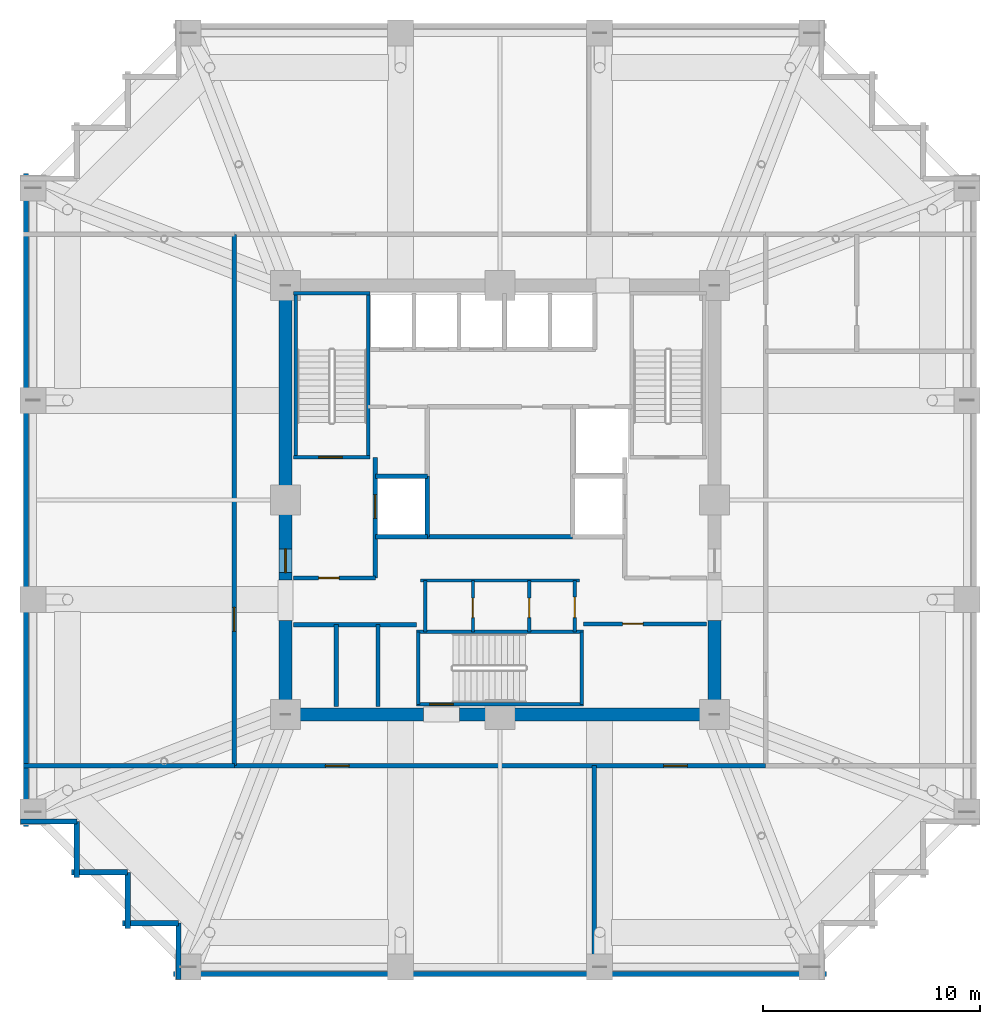
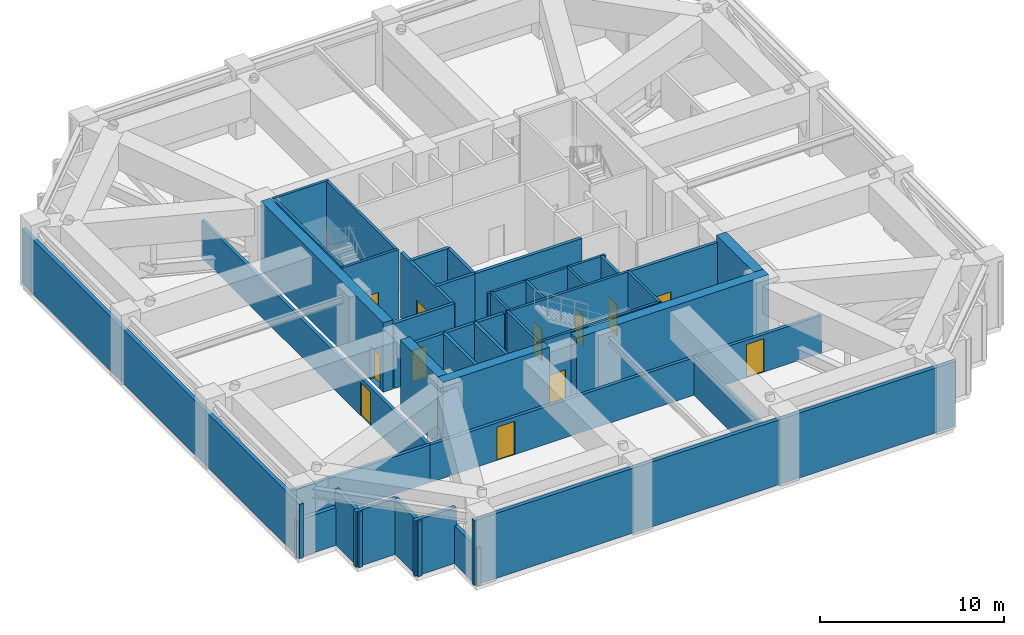
# One storey, part 12 of 15: 40 walls, 12 doors, 12 openings.
"""IFC4 building model written with IfcOpenShell, lengths in metres."""

from ifc_helpers import new_model, si_unit, direction, frame, frame_2d, origin, place, context, subcontext, project, spatial, rectangle, extrude, material, layer, layer_set, type_object, element, fill, save


model = new_model("IFC4")

# Units and contexts
model_context = context("Model", 3, precision=1e-05, world=origin(), true_north=direction((0.0, 1.0)))
body_context = subcontext(model_context, "Body", "Model", "MODEL_VIEW")
ifc_project = project(units=[si_unit("LENGTHUNIT", "METRE"), si_unit("AREAUNIT", "SQUARE_METRE"), si_unit("VOLUMEUNIT", "CUBIC_METRE"), si_unit("PLANEANGLEUNIT", "RADIAN"), si_unit("MASSUNIT", "GRAM", prefix="KILO")], contexts=[model_context])

# Site, building, storey
site_placement = place(None, origin())
site = spatial("IfcSite", under=ifc_project, at=site_placement, CompositionType="ELEMENT")
building_placement = place(site_placement, origin())
building = spatial("IfcBuilding", under=site, at=building_placement, Name="Kolvaren Belvedere", CompositionType="ELEMENT")
storey_placement = place(building_placement, frame((0.0, 0.0, 63.39990234375)))
storey = spatial("IfcBuildingStorey", under=building, at=storey_placement, Name="L18", CompositionType="ELEMENT", Elevation=63.39990234375)

# Walls
ifc_material_1 = material(Name="Concrete C60/75", Category="concrete")
ifc_layer_1 = layer(ifc_material_1, 0.60009765625)
ifc_layer_set_1 = layer_set([ifc_layer_1], Name="Concrete C60/75")
wall_type_1 = type_object("IfcWallType", Name="CW-CORE-600", PredefinedType="SHEAR", material=ifc_layer_set_1)
wall_1_placement = place(storey_placement, frame((10.199951171875, -9.89990234375, 0.0), z_axis=(0.0, 0.0, 1.0), x_axis=(-1.0, 0.0, 0.0)))
element("IfcWall", 1, at=wall_1_placement, inside=storey, type_object=wall_type_1, Name="L18 South Core Shear Wall 1", PredefinedType="SHEAR", context=body_context, shape_type="SweptSolid", body=[
    extrude(rectangle(XDim=12.06005859375, YDim=0.60009765625, at=frame_2d((6.030029296875, 0.0))), origin(), (0.0, 0.0, 1.0), 4.60009765625),
])
wall_2_placement = place(storey_placement, frame((-3.5400390625, -9.89990234375, 0.0), z_axis=(0.0, 0.0, 1.0), x_axis=(-1.0, 0.0, 0.0)))
element("IfcWall", 2, at=wall_2_placement, inside=storey, type_object=wall_type_1, Name="L18 South Core Shear Wall 2", PredefinedType="SHEAR", context=body_context, shape_type="SweptSolid", body=[
    extrude(rectangle(XDim=6.659912109375, YDim=0.60009765625, at=frame_2d((3.330078125, 0.0))), origin(), (0.0, 0.0, 1.0), 4.60009765625),
])
for number, where, z_axis, x_axis, name in (
    (3, (-9.89990234375, -9.60009765625, 0.0), (0.0, 0.0, 1.0), (0.0, 1.0, 0.0), "L18 West Core Shear Wall 1"),
    (4, (9.89990234375, -9.60009765625, 0.0), (0.0, 0.0, 1.0), (0.0, 1.0, 0.0), "L18 East Core Shear Wall 1"),
):
    element("IfcWall", number, at=place(storey_placement, frame(where, z_axis=z_axis, x_axis=x_axis)), inside=storey, type_object=wall_type_1, Name=name, PredefinedType="SHEAR", context=body_context, shape_type="SweptSolid", body=[
        extrude(rectangle(XDim=4.050048828125, YDim=0.60009765625, at=frame_2d((2.02490234375, 0.0))), origin(), (0.0, 0.0, 1.0), 4.60009765625),
    ])

# Wall, opening, door
wall_3_placement = place(storey_placement, frame((-9.89990234375, -3.699951171875, 0.0), z_axis=(0.0, 0.0, 1.0), x_axis=(0.0, 1.0, 0.0)))
wall_3 = element("IfcWall", 5, at=wall_3_placement, inside=storey, type_object=wall_type_1, Name="L18 West Core Shear Wall 2", PredefinedType="SHEAR", context=body_context, shape_type="SweptSolid", body=[
    extrude(rectangle(XDim=13.300048828125, YDim=0.60009765625, at=frame_2d((6.64990234375, 0.0))), origin(), (0.0, 0.0, 1.0), 4.60009765625),
])
opening_1_placement = place(wall_3_placement, frame((0.35009765625, 0.0, 0.0)))
opening_1 = element("IfcOpeningElement", 6, at=opening_1_placement, cuts=wall_3, Name="Opening D-FD90", PredefinedType="OPENING", context=body_context, shape_type="SweptSolid", body=[
    extrude(rectangle(XDim=1.10009765625, YDim=2.199951171875, at=frame_2d((0.550048828125, 1.10009765625))), frame((0.0, 0.31005859375, 0.0), z_axis=(0.0, -1.0, 0.0), x_axis=(1.0, 0.0, 0.0)), (0.0, 0.0, 1.0), 0.6201171875),
])
ifc_material_2 = material(Name="Painted hollow stainless steel", Category="steel")
door_type_1 = type_object("IfcDoorType", Name="DR-FD90-1100", OperationType="NOTDEFINED", PredefinedType="DOOR", material=ifc_material_2)
door_1_placement = place(opening_1_placement, origin())
door_1 = element("IfcDoor", 7, at=door_1_placement, inside=storey, type_object=door_type_1, Name="L18 West Firefighting Lobby Fire Door", OperationType="SINGLE_SWING_LEFT", OverallHeight=2.199951171875, OverallWidth=1.10009765625, PredefinedType="DOOR", context=body_context, shape_type="SweptSolid", body=[
    extrude(rectangle(XDim=1.10009765625, YDim=2.199951171875, at=frame_2d((0.550048828125, 1.10009765625))), frame((0.0, 0.02490234375, 0.0), z_axis=(0.0, -1.0, 0.0), x_axis=(1.0, 0.0, 0.0)), (0.0, 0.0, 1.0), 0.050048828125),
])
fill(opening_1, door_1)

ifc_material_3 = material(Name="Concrete C50/60", Category="concrete")
ifc_layer_2 = layer(ifc_material_3, 0.159912109375)
ifc_layer_set_2 = layer_set([ifc_layer_2], Name="Concrete C50/60")
wall_type_2 = type_object("IfcWallType", Name="CW-STAIR-160", PredefinedType="SHEAR", material=ifc_layer_set_2)
wall_4_placement = place(storey_placement, frame((-9.52001953125, 1.969970703125, 0.0), z_axis=(0.0, 0.0, 1.0), x_axis=(1.0, 0.0, 0.0)))
wall_4 = element("IfcWall", 8, at=wall_4_placement, inside=storey, type_object=wall_type_2, Name="L18 Stair ST-1 South Shear Wall", PredefinedType="SHEAR", context=body_context, shape_type="SweptSolid", body=[
    extrude(rectangle(XDim=3.52001953125, YDim=0.159912109375, at=frame_2d((1.760009765625, 0.0))), origin(), (0.0, 0.0, 1.0), 4.60009765625),
])
opening_2_placement = place(wall_4_placement, frame((1.14990234375, 0.0, 0.0)))
opening_2 = element("IfcOpeningElement", 9, at=opening_2_placement, cuts=wall_4, Name="Opening D-FD90", PredefinedType="OPENING", context=body_context, shape_type="SweptSolid", body=[
    extrude(rectangle(XDim=1.10009765625, YDim=2.199951171875, at=frame_2d((0.550048828125, 1.10009765625))), frame((0.0, 0.08984375, 0.0), z_axis=(0.0, -1.0, 0.0), x_axis=(1.0, 0.0, 0.0)), (0.0, 0.0, 1.0), 0.179931640625),
])
door_2_placement = place(opening_2_placement, origin())
door_2 = element("IfcDoor", 10, at=door_2_placement, inside=storey, type_object=door_type_1, Name="L18 Stair ST-1 Fire Door", OperationType="SINGLE_SWING_LEFT", OverallHeight=2.199951171875, OverallWidth=1.10009765625, PredefinedType="DOOR", context=body_context, shape_type="SweptSolid", body=[
    extrude(rectangle(XDim=1.10009765625, YDim=2.199951171875, at=frame_2d((0.550048828125, 1.10009765625))), frame((0.0, 0.02490234375, 0.0), z_axis=(0.0, -1.0, 0.0), x_axis=(1.0, 0.0, 0.0)), (0.0, 0.0, 1.0), 0.050048828125),
])
fill(opening_2, door_2)

# Walls
wall_5_placement = place(storey_placement, frame((-9.52001953125, 9.530029296875, 0.0), z_axis=(0.0, 0.0, 1.0), x_axis=(1.0, 0.0, 0.0)))
element("IfcWall", 11, at=wall_5_placement, inside=storey, type_object=wall_type_2, Name="L18 Stair ST-1 North Shear Wall", PredefinedType="SHEAR", context=body_context, shape_type="SweptSolid", body=[
    extrude(rectangle(XDim=3.52001953125, YDim=0.159912109375, at=frame_2d((1.760009765625, 0.0))), origin(), (0.0, 0.0, 1.0), 4.60009765625),
])
for number, where, z_axis, x_axis, name in (
    (12, (-9.429931640625, 1.969970703125, 0.0), (0.0, 0.0, 1.0), (0.0, 1.0, 0.0), "L18 Stair ST-1 West Shear Wall"),
    (13, (-6.080078125, 1.969970703125, 0.0), (0.0, 0.0, 1.0), (0.0, 1.0, 0.0), "L18 Stair ST-1 East Shear Wall"),
):
    element("IfcWall", number, at=place(storey_placement, frame(where, z_axis=z_axis, x_axis=x_axis)), inside=storey, type_object=wall_type_2, Name=name, PredefinedType="SHEAR", context=body_context, shape_type="SweptSolid", body=[
        extrude(rectangle(XDim=7.56005859375, YDim=0.159912109375, at=frame_2d((3.780029296875, 0.0))), origin(), (0.0, 0.0, 1.0), 4.60009765625),
    ])

# Wall, opening, door
wall_6_placement = place(storey_placement, frame((3.860107421875, -9.429931640625, 0.0), z_axis=(0.0, 0.0, 1.0), x_axis=(-1.0, 0.0, 0.0)))
wall_6 = element("IfcWall", 14, at=wall_6_placement, inside=storey, type_object=wall_type_2, Name="L18 Stair ST-3 South Shear Wall", PredefinedType="SHEAR", context=body_context, shape_type="SweptSolid", body=[
    extrude(rectangle(XDim=7.72021484375, YDim=0.159912109375, at=frame_2d((3.860107421875, 0.0))), origin(), (0.0, 0.0, 1.0), 4.60009765625),
])
opening_3_placement = place(wall_6_placement, frame((6.010009765625, 0.0, 0.0)))
opening_3 = element("IfcOpeningElement", 15, at=opening_3_placement, cuts=wall_6, Name="Opening D-FD90", PredefinedType="OPENING", context=body_context, shape_type="SweptSolid", body=[
    extrude(rectangle(XDim=1.10009765625, YDim=2.199951171875, at=frame_2d((0.550048828125, 1.10009765625))), frame((0.0, 0.08984375, 0.0), z_axis=(0.0, -1.0, 0.0), x_axis=(1.0, 0.0, 0.0)), (0.0, 0.0, 1.0), 0.179931640625),
])
door_3_placement = place(opening_3_placement, origin())
door_3 = element("IfcDoor", 16, at=door_3_placement, inside=storey, type_object=door_type_1, Name="L18 Stair ST-3 Exit Door", OperationType="SINGLE_SWING_RIGHT", OverallHeight=2.199951171875, OverallWidth=1.10009765625, PredefinedType="DOOR", context=body_context, shape_type="SweptSolid", body=[
    extrude(rectangle(XDim=1.10009765625, YDim=2.199951171875, at=frame_2d((0.550048828125, 1.10009765625))), frame((0.0, 0.02490234375, 0.0), z_axis=(0.0, -1.0, 0.0), x_axis=(1.0, 0.0, 0.0)), (0.0, 0.0, 1.0), 0.050048828125),
])
fill(opening_3, door_3)

# Walls
wall_7_placement = place(storey_placement, frame((-3.860107421875, -6.080078125, 0.0), z_axis=(0.0, 0.0, 1.0), x_axis=(1.0, 0.0, 0.0)))
element("IfcWall", 17, at=wall_7_placement, inside=storey, type_object=wall_type_2, Name="L18 Stair ST-3 North Shear Wall", PredefinedType="SHEAR", context=body_context, shape_type="SweptSolid", body=[
    extrude(rectangle(XDim=7.72021484375, YDim=0.159912109375, at=frame_2d((3.860107421875, 0.0))), origin(), (0.0, 0.0, 1.0), 4.60009765625),
])
for number, where, z_axis, x_axis, name in (
    (18, (-3.780029296875, -9.429931640625, 0.0), (0.0, 0.0, 1.0), (0.0, 1.0, 0.0), "L18 Stair ST-3 West Shear Wall"),
    (19, (3.780029296875, -9.429931640625, 0.0), (0.0, 0.0, 1.0), (0.0, 1.0, 0.0), "L18 Stair ST-3 East Shear Wall"),
):
    element("IfcWall", number, at=place(storey_placement, frame(where, z_axis=z_axis, x_axis=x_axis)), inside=storey, type_object=wall_type_2, Name=name, PredefinedType="SHEAR", context=body_context, shape_type="SweptSolid", body=[
        extrude(rectangle(XDim=3.349853515625, YDim=0.159912109375, at=frame_2d((1.6748046875, 0.0))), origin(), (0.0, 0.0, 1.0), 4.60009765625),
    ])
ifc_material_4 = material(Name="Insulated acoustic pale-metal louvre wall", Category="aluminium")
ifc_layer_3 = layer(ifc_material_4, 0.239990234375)
ifc_layer_set_3 = layer_set([ifc_layer_3], Name="Insulated acoustic pale-metal louvre wall")
wall_type_3 = type_object("IfcWallType", Name="WL-LOUV-240", PredefinedType="STANDARD", material=ifc_layer_set_3)
wall_8_placement = place(storey_placement, frame((15.070068359375, -21.8798828125, 0.0), z_axis=(0.0, 0.0, 1.0), x_axis=(-1.0, 0.0, 0.0)))
element("IfcWall", 20, at=wall_8_placement, inside=storey, type_object=wall_type_3, Name="L18 Acoustic Louvre Facade Wall 1", PredefinedType="STANDARD", context=body_context, shape_type="SweptSolid", body=[
    extrude(rectangle(XDim=30.14013671875, YDim=0.239990234375, at=frame_2d((15.070068359375, 0.0))), origin(), (0.0, 0.0, 1.0), 4.300048828125),
])
wall_9_placement = place(storey_placement, frame((-21.8798828125, -15.070068359375, 0.0), z_axis=(0.0, 0.0, 1.0), x_axis=(0.0, 1.0, 0.0)))
element("IfcWall", 21, at=wall_9_placement, inside=storey, type_object=wall_type_3, Name="L18 Acoustic Louvre Facade Wall 22", PredefinedType="STANDARD", context=body_context, shape_type="SweptSolid", body=[
    extrude(rectangle(XDim=30.14013671875, YDim=0.239990234375, at=frame_2d((15.070068359375, 0.0))), origin(), (0.0, 0.0, 1.0), 3.59912109375),
])
wall_10_placement = place(storey_placement, frame((-19.530029296875, -14.830078125, 0.0), z_axis=(0.0, 0.0, 1.0), x_axis=(-1.0, 0.0, 0.0)))
element("IfcWall", 22, at=wall_10_placement, inside=storey, type_object=wall_type_3, Name="L18 Acoustic Louvre Facade Wall 23", PredefinedType="STANDARD", context=body_context, shape_type="SweptSolid", body=[
    extrude(rectangle(XDim=2.590087890625, YDim=0.239990234375, at=frame_2d((1.294921875, 0.0))), origin(), (0.0, 0.0, 1.0), 2.4951171875),
])
wall_11_placement = place(storey_placement, frame((-19.530029296875, -17.419921875, 0.0), z_axis=(0.0, 0.0, 1.0), x_axis=(0.0, 1.0, 0.0)))
element("IfcWall", 23, at=wall_11_placement, inside=storey, type_object=wall_type_3, Name="L18 Acoustic Louvre Facade Wall 24", PredefinedType="STANDARD", context=body_context, shape_type="SweptSolid", body=[
    extrude(rectangle(XDim=2.58984375, YDim=0.239990234375, at=frame_2d((1.294921875, 0.0))), origin(), (0.0, 0.0, 1.0), 3.67919921875),
])
for number, where, z_axis, x_axis, name in (
    (24, (-17.179931640625, -17.179931640625, 0.0), (0.0, 0.0, 1.0), (-1.0, 0.0, 0.0), "L18 Acoustic Louvre Facade Wall 25"),
    (25, (-17.179931640625, -19.77001953125, 0.0), (0.0, 0.0, 1.0), (0.0, 1.0, 0.0), "L18 Acoustic Louvre Facade Wall 26"),
):
    element("IfcWall", number, at=place(storey_placement, frame(where, z_axis=z_axis, x_axis=x_axis)), inside=storey, type_object=wall_type_3, Name=name, PredefinedType="STANDARD", context=body_context, shape_type="SweptSolid", body=[
        extrude(rectangle(XDim=2.590087890625, YDim=0.239990234375, at=frame_2d((1.294921875, 0.0))), origin(), (0.0, 0.0, 1.0), 3.67919921875),
    ])
wall_12_placement = place(storey_placement, frame((-14.830078125, -19.530029296875, 0.0), z_axis=(0.0, 0.0, 1.0), x_axis=(-1.0, 0.0, 0.0)))
element("IfcWall", 26, at=wall_12_placement, inside=storey, type_object=wall_type_3, Name="L18 Acoustic Louvre Facade Wall 27", PredefinedType="STANDARD", context=body_context, shape_type="SweptSolid", body=[
    extrude(rectangle(XDim=2.58984375, YDim=0.239990234375, at=frame_2d((1.294921875, 0.0))), origin(), (0.0, 0.0, 1.0), 3.67919921875),
])
wall_13_placement = place(storey_placement, frame((-14.830078125, -22.1201171875, 0.0), z_axis=(0.0, 0.0, 1.0), x_axis=(0.0, 1.0, 0.0)))
element("IfcWall", 27, at=wall_13_placement, inside=storey, type_object=wall_type_3, Name="L18 Acoustic Louvre Facade Wall 28", PredefinedType="STANDARD", context=body_context, shape_type="SweptSolid", body=[
    extrude(rectangle(XDim=2.590087890625, YDim=0.239990234375, at=frame_2d((1.294921875, 0.0))), origin(), (0.0, 0.0, 1.0), 2.4951171875),
])
ifc_material_5 = material(Name="Gypsum acoustic partition assembly", Category="gypsum")
ifc_layer_4 = layer(ifc_material_5, 0.14990234375)
ifc_layer_set_4 = layer_set([ifc_layer_4], Name="Gypsum acoustic partition assembly")
wall_type_4 = type_object("IfcWallType", Name="WL-PART-150", PredefinedType="PARTITIONING", material=ifc_layer_set_4)
wall_14_placement = place(storey_placement, frame((-3.679931640625, -3.719970703125, 0.0), z_axis=(0.0, 0.0, 1.0), x_axis=(1.0, 0.0, 0.0)))
element("IfcWall", 28, at=wall_14_placement, inside=storey, type_object=wall_type_4, Name="L18 South Core Service North Wall", PredefinedType="PARTITIONING", context=body_context, shape_type="SweptSolid", body=[
    extrude(rectangle(XDim=7.35986328125, YDim=0.14990234375, at=frame_2d((3.679931640625, 0.0))), origin(), (0.0, 0.0, 1.0), 4.300048828125),
])

# Wall, opening, door
wall_15_placement = place(storey_placement, frame((3.449951171875, -6.080078125, 0.0), z_axis=(0.0, 0.0, 1.0), x_axis=(0.0, 1.0, 0.0)))
wall_15 = element("IfcWall", 29, at=wall_15_placement, inside=storey, type_object=wall_type_4, Name="L18 South Core Service East Wall", PredefinedType="PARTITIONING", context=body_context, shape_type="SweptSolid", body=[
    extrude(rectangle(XDim=2.360107421875, YDim=0.14990234375, at=frame_2d((1.18017578125, 0.0))), origin(), (0.0, 0.0, 1.0), 4.300048828125),
])
opening_4_placement = place(wall_15_placement, frame((0.64990234375, 0.0, 0.0)))
opening_4 = element("IfcOpeningElement", 30, at=opening_4_placement, cuts=wall_15, Name="Opening D-FD60", PredefinedType="OPENING", context=body_context, shape_type="SweptSolid", body=[
    extrude(rectangle(XDim=0.949951171875, YDim=2.06005859375, at=frame_2d((0.47509765625, 1.030029296875))), frame((0.0, 0.0849609375, 0.0), z_axis=(0.0, -1.0, 0.0), x_axis=(1.0, 0.0, 0.0)), (0.0, 0.0, 1.0), 0.169921875),
])
ifc_material_6 = material(Name="Acoustic white-oak fire door leaf", Category="timber")
door_type_2 = type_object("IfcDoorType", Name="DR-FD60-950", OperationType="NOTDEFINED", PredefinedType="DOOR", material=ifc_material_6)
door_4_placement = place(opening_4_placement, origin())
door_4 = element("IfcDoor", 31, at=door_4_placement, inside=storey, type_object=door_type_2, Name="L18 Core Service Room Door", OperationType="SINGLE_SWING_LEFT", OverallHeight=2.06005859375, OverallWidth=0.949951171875, PredefinedType="DOOR", context=body_context, shape_type="SweptSolid", body=[
    extrude(rectangle(XDim=0.949951171875, YDim=2.06005859375, at=frame_2d((0.47509765625, 1.030029296875))), frame((0.0, 0.02490234375, 0.0), z_axis=(0.0, -1.0, 0.0), x_axis=(1.0, 0.0, 0.0)), (0.0, 0.0, 1.0), 0.050048828125),
])
fill(opening_4, door_4)

# Wall
wall_16_placement = place(storey_placement, frame((-3.449951171875, -6.080078125, 0.0), z_axis=(0.0, 0.0, 1.0), x_axis=(0.0, 1.0, 0.0)))
element("IfcWall", 32, at=wall_16_placement, inside=storey, type_object=wall_type_4, Name="L18 South Core Service West Wall", PredefinedType="PARTITIONING", context=body_context, shape_type="SweptSolid", body=[
    extrude(rectangle(XDim=2.360107421875, YDim=0.14990234375, at=frame_2d((1.18017578125, 0.0))), origin(), (0.0, 0.0, 1.0), 4.300048828125),
])

# Wall, opening, door
wall_17_placement = place(storey_placement, frame((1.35009765625, -6.080078125, 0.0), z_axis=(0.0, 0.0, 1.0), x_axis=(0.0, 1.0, 0.0)))
wall_17 = element("IfcWall", 33, at=wall_17_placement, inside=storey, type_object=wall_type_4, Name="L18 Core Service Divider 1", PredefinedType="PARTITIONING", context=body_context, shape_type="SweptSolid", body=[
    extrude(rectangle(XDim=2.360107421875, YDim=0.14990234375, at=frame_2d((1.18017578125, 0.0))), origin(), (0.0, 0.0, 1.0), 4.300048828125),
])
opening_5_placement = place(wall_17_placement, frame((0.64990234375, 0.0, 0.0)))
opening_5 = element("IfcOpeningElement", 34, at=opening_5_placement, cuts=wall_17, Name="Opening D-INT90", PredefinedType="OPENING", context=body_context, shape_type="SweptSolid", body=[
    extrude(rectangle(XDim=0.89990234375, YDim=2.06005859375, at=frame_2d((0.449951171875, 1.030029296875))), frame((0.0, 0.0849609375, 0.0), z_axis=(0.0, -1.0, 0.0), x_axis=(1.0, 0.0, 0.0)), (0.0, 0.0, 1.0), 0.169921875),
])
ifc_material_7 = material(Name="Stained Pacific white oak", Category="timber")
door_type_3 = type_object("IfcDoorType", Name="DR-INT-900", OperationType="NOTDEFINED", PredefinedType="DOOR", material=ifc_material_7)
door_5_placement = place(opening_5_placement, origin())
door_5 = element("IfcDoor", 35, at=door_5_placement, inside=storey, type_object=door_type_3, Name="L18 Data Closet Door", OperationType="SINGLE_SWING_RIGHT", OverallHeight=2.06005859375, OverallWidth=0.89990234375, PredefinedType="DOOR", context=body_context, shape_type="SweptSolid", body=[
    extrude(rectangle(XDim=0.89990234375, YDim=2.06005859375, at=frame_2d((0.449951171875, 1.030029296875))), frame((0.0, 0.02490234375, 0.0), z_axis=(0.0, -1.0, 0.0), x_axis=(1.0, 0.0, 0.0)), (0.0, 0.0, 1.0), 0.050048828125),
])
fill(opening_5, door_5)

wall_18_placement = place(storey_placement, frame((-1.25, -6.080078125, 0.0), z_axis=(0.0, 0.0, 1.0), x_axis=(0.0, 1.0, 0.0)))
wall_18 = element("IfcWall", 36, at=wall_18_placement, inside=storey, type_object=wall_type_4, Name="L18 Core Service Divider 2", PredefinedType="PARTITIONING", context=body_context, shape_type="SweptSolid", body=[
    extrude(rectangle(XDim=2.360107421875, YDim=0.14990234375, at=frame_2d((1.18017578125, 0.0))), origin(), (0.0, 0.0, 1.0), 4.300048828125),
])
opening_6_placement = place(wall_18_placement, frame((0.64990234375, 0.0, 0.0)))
opening_6 = element("IfcOpeningElement", 37, at=opening_6_placement, cuts=wall_18, Name="Opening D-INT90", PredefinedType="OPENING", context=body_context, shape_type="SweptSolid", body=[
    extrude(rectangle(XDim=0.89990234375, YDim=2.06005859375, at=frame_2d((0.449951171875, 1.030029296875))), frame((0.0, 0.0849609375, 0.0), z_axis=(0.0, -1.0, 0.0), x_axis=(1.0, 0.0, 0.0)), (0.0, 0.0, 1.0), 0.169921875),
])
door_6_placement = place(opening_6_placement, origin())
door_6 = element("IfcDoor", 38, at=door_6_placement, inside=storey, type_object=door_type_3, Name="L18 Janitor Room Door", OperationType="SINGLE_SWING_LEFT", OverallHeight=2.06005859375, OverallWidth=0.89990234375, PredefinedType="DOOR", context=body_context, shape_type="SweptSolid", body=[
    extrude(rectangle(XDim=0.89990234375, YDim=2.06005859375, at=frame_2d((0.449951171875, 1.030029296875))), frame((0.0, 0.02490234375, 0.0), z_axis=(0.0, -1.0, 0.0), x_axis=(1.0, 0.0, 0.0)), (0.0, 0.0, 1.0), 0.050048828125),
])
fill(opening_6, door_6)

ifc_material_8 = material(Name="Concrete C50/60", Category="concrete")
ifc_layer_5 = layer(ifc_material_8, 0.199951171875)
ifc_layer_set_5 = layer_set([ifc_layer_5], Name="Concrete C50/60")
wall_type_5 = type_object("IfcWallType", Name="WL-SHAFT-200", PredefinedType="SOLIDWALL", material=ifc_layer_set_5)
wall_19_placement = place(storey_placement, frame((-9.52001953125, -3.60009765625, 0.0), z_axis=(0.0, 0.0, 1.0), x_axis=(1.0, 0.0, 0.0)))
wall_19 = element("IfcWall", 39, at=wall_19_placement, inside=storey, type_object=wall_type_5, Name="L18 West FSAE Lobby South Wall", PredefinedType="SOLIDWALL", context=body_context, shape_type="SweptSolid", body=[
    extrude(rectangle(XDim=3.77001953125, YDim=0.199951171875, at=frame_2d((1.885009765625, 0.0))), origin(), (0.0, 0.0, 1.0), 4.300048828125),
])
opening_7_placement = place(wall_19_placement, frame((1.14990234375, 0.0, 0.0)))
opening_7 = element("IfcOpeningElement", 40, at=opening_7_placement, cuts=wall_19, Name="Opening D-FD60", PredefinedType="OPENING", context=body_context, shape_type="SweptSolid", body=[
    extrude(rectangle(XDim=0.949951171875, YDim=2.06005859375, at=frame_2d((0.47509765625, 1.030029296875))), frame((0.0, 0.10986328125, 0.0), z_axis=(0.0, -1.0, 0.0), x_axis=(1.0, 0.0, 0.0)), (0.0, 0.0, 1.0), 0.219970703125),
])
door_7_placement = place(opening_7_placement, origin())
door_7 = element("IfcDoor", 41, at=door_7_placement, inside=storey, type_object=door_type_2, Name="L18 Mid-Rise Lift Lobby Fire Door", OperationType="SINGLE_SWING_LEFT", OverallHeight=2.06005859375, OverallWidth=0.949951171875, PredefinedType="DOOR", context=body_context, shape_type="SweptSolid", body=[
    extrude(rectangle(XDim=0.949951171875, YDim=2.06005859375, at=frame_2d((0.47509765625, 1.030029296875))), frame((0.0, 0.02490234375, 0.0), z_axis=(0.0, -1.0, 0.0), x_axis=(1.0, 0.0, 0.0)), (0.0, 0.0, 1.0), 0.050048828125),
])
fill(opening_7, door_7)

wall_20_placement = place(storey_placement, frame((-5.75, -3.60009765625, 0.0), z_axis=(0.0, 0.0, 1.0), x_axis=(0.0, 1.0, 0.0)))
wall_20 = element("IfcWall", 42, at=wall_20_placement, inside=storey, type_object=wall_type_5, Name="L18 FSAE FS1 Landing Wall", PredefinedType="SOLIDWALL", context=body_context, shape_type="SweptSolid", body=[
    extrude(rectangle(XDim=5.570068359375, YDim=0.199951171875, at=frame_2d((2.78515625, 0.0))), origin(), (0.0, 0.0, 1.0), 4.300048828125),
])
opening_8_placement = place(wall_20_placement, frame((2.75, 0.0, 0.0)))
opening_8 = element("IfcOpeningElement", 43, at=opening_8_placement, cuts=wall_20, Name="Opening LD-11", PredefinedType="OPENING", context=body_context, shape_type="SweptSolid", body=[
    extrude(rectangle(XDim=1.10009765625, YDim=2.199951171875, at=frame_2d((0.550048828125, 1.10009765625))), frame((0.0, 0.10986328125, 0.0), z_axis=(0.0, -1.0, 0.0), x_axis=(1.0, 0.0, 0.0)), (0.0, 0.0, 1.0), 0.219970703125),
])
ifc_material_9 = material(Name="Brushed stainless steel", Category="steel")
door_type_4 = type_object("IfcDoorType", Name="DR-LIFT-1100", OperationType="DOUBLE_DOOR_SLIDING", PredefinedType="DOOR", material=ifc_material_9)
door_8_placement = place(opening_8_placement, origin())
door_8 = element("IfcDoor", 44, at=door_8_placement, inside=storey, type_object=door_type_4, Name="L18 Firefighting Lift FS1 Landing Door", OperationType="DOUBLE_DOOR_SLIDING", OverallHeight=2.199951171875, OverallWidth=1.10009765625, PredefinedType="DOOR", context=body_context, shape_type="SweptSolid", body=[
    extrude(rectangle(XDim=1.10009765625, YDim=2.199951171875, at=frame_2d((0.550048828125, 1.10009765625))), frame((0.0, 0.02490234375, 0.0), z_axis=(0.0, -1.0, 0.0), x_axis=(1.0, 0.0, 0.0)), (0.0, 0.0, 1.0), 0.050048828125),
])
fill(opening_8, door_8)

# Walls
wall_21_placement = place(storey_placement, frame((-3.35009765625, -1.699951171875, 0.0), z_axis=(0.0, 0.0, 1.0), x_axis=(0.0, 1.0, 0.0)))
element("IfcWall", 45, at=wall_21_placement, inside=storey, type_object=wall_type_5, Name="L18 FSAE FS1 Back Wall", PredefinedType="SOLIDWALL", context=body_context, shape_type="SweptSolid", body=[
    extrude(rectangle(XDim=2.800048828125, YDim=0.199951171875, at=frame_2d((1.39990234375, 0.0))), origin(), (0.0, 0.0, 1.0), 4.300048828125),
])
for number, where, z_axis, x_axis, name in (
    (46, (-5.75, -1.699951171875, 0.0), (0.0, 0.0, 1.0), (1.0, 0.0, 0.0), "L18 FSAE FS1 South Wall"),
    (47, (-5.75, 1.10009765625, 0.0), (0.0, 0.0, 1.0), (1.0, 0.0, 0.0), "L18 FSAE FS1 North Wall"),
):
    element("IfcWall", number, at=place(storey_placement, frame(where, z_axis=z_axis, x_axis=x_axis)), inside=storey, type_object=wall_type_5, Name=name, PredefinedType="SOLIDWALL", context=body_context, shape_type="SweptSolid", body=[
        extrude(rectangle(XDim=2.39990234375, YDim=0.199951171875, at=frame_2d((1.199951171875, 0.0))), origin(), (0.0, 0.0, 1.0), 4.300048828125),
    ])
wall_22_placement = place(storey_placement, frame((-9.52001953125, -5.75, 0.0), z_axis=(0.0, 0.0, 1.0), x_axis=(1.0, 0.0, 0.0)))
element("IfcWall", 48, at=wall_22_placement, inside=storey, type_object=wall_type_5, Name="L18 Mid-Rise Lift Bank Front Wall", PredefinedType="SOLIDWALL", context=body_context, shape_type="SweptSolid", body=[
    extrude(rectangle(XDim=5.659912109375, YDim=0.199951171875, at=frame_2d((2.830078125, 0.0))), origin(), (0.0, 0.0, 1.0), 4.300048828125),
])
for number, where, z_axis, x_axis, name in (
    (49, (-7.56005859375, -9.52001953125, 0.0), (0.0, 0.0, 1.0), (0.0, 1.0, 0.0), "L18 Mid-Rise Hoistway Divider 1"),
    (50, (-5.6298828125, -9.52001953125, 0.0), (0.0, 0.0, 1.0), (0.0, 1.0, 0.0), "L18 Mid-Rise Hoistway Divider 2"),
):
    element("IfcWall", number, at=place(storey_placement, frame(where, z_axis=z_axis, x_axis=x_axis)), inside=storey, type_object=wall_type_5, Name=name, PredefinedType="SOLIDWALL", context=body_context, shape_type="SweptSolid", body=[
        extrude(rectangle(XDim=3.77001953125, YDim=0.199951171875, at=frame_2d((1.885009765625, 0.0))), origin(), (0.0, 0.0, 1.0), 4.300048828125),
    ])

# Wall, opening, door
wall_23_placement = place(storey_placement, frame((3.860107421875, -5.719970703125, 0.0), z_axis=(0.0, 0.0, 1.0), x_axis=(1.0, 0.0, 0.0)))
wall_23 = element("IfcWall", 51, at=wall_23_placement, inside=storey, type_object=wall_type_5, Name="L18 SE Core Distribution Wall", PredefinedType="SOLIDWALL", context=body_context, shape_type="SweptSolid", body=[
    extrude(rectangle(XDim=5.659912109375, YDim=0.199951171875, at=frame_2d((2.830078125, 0.0))), origin(), (0.0, 0.0, 1.0), 4.300048828125),
])
opening_9_placement = place(wall_23_placement, frame((1.800048828125, 0.0, 0.0)))
opening_9 = element("IfcOpeningElement", 52, at=opening_9_placement, cuts=wall_23, Name="Opening D-FD60", PredefinedType="OPENING", context=body_context, shape_type="SweptSolid", body=[
    extrude(rectangle(XDim=0.949951171875, YDim=2.06005859375, at=frame_2d((0.47509765625, 1.030029296875))), frame((0.0, 0.10986328125, 0.0), z_axis=(0.0, -1.0, 0.0), x_axis=(1.0, 0.0, 0.0)), (0.0, 0.0, 1.0), 0.219970703125),
])
door_9_placement = place(opening_9_placement, origin())
door_9 = element("IfcDoor", 53, at=door_9_placement, inside=storey, type_object=door_type_2, Name="L18 Substructure Switchgear Mechanical Plant Door", OperationType="SINGLE_SWING_RIGHT", OverallHeight=2.06005859375, OverallWidth=0.949951171875, PredefinedType="DOOR", context=body_context, shape_type="SweptSolid", body=[
    extrude(rectangle(XDim=0.949951171875, YDim=2.06005859375, at=frame_2d((0.47509765625, 1.030029296875))), frame((0.0, 0.02490234375, 0.0), z_axis=(0.0, -1.0, 0.0), x_axis=(1.0, 0.0, 0.0)), (0.0, 0.0, 1.0), 0.050048828125),
])
fill(opening_9, door_9)

# Wall
wall_24_placement = place(storey_placement, frame((-3.35009765625, -1.699951171875, 0.0), z_axis=(0.0, 0.0, 1.0), x_axis=(1.0, 0.0, 0.0)))
element("IfcWall", 54, at=wall_24_placement, inside=storey, type_object=wall_type_5, Name="L18 Central Core Room South Wall", PredefinedType="SOLIDWALL", context=body_context, shape_type="SweptSolid", body=[
    extrude(rectangle(XDim=6.7001953125, YDim=0.199951171875, at=frame_2d((3.35009765625, 0.0))), origin(), (0.0, 0.0, 1.0), 4.300048828125),
])

# Wall, openings, doors
wall_25_placement = place(storey_placement, frame((-12.260009765625, -12.260009765625, 0.0), z_axis=(0.0, 0.0, 1.0), x_axis=(1.0, 0.0, 0.0)))
wall_25 = element("IfcWall", 55, at=wall_25_placement, inside=storey, type_object=wall_type_5, Name="L18 South Corridor Wall", PredefinedType="SOLIDWALL", context=body_context, shape_type="SweptSolid", body=[
    extrude(rectangle(XDim=24.52001953125, YDim=0.199951171875, at=frame_2d((12.260009765625, 0.0))), origin(), (0.0, 0.0, 1.0), 2.485107421875),
])
opening_10_placement = place(wall_25_placement, frame((4.199951171875, 0.0, 0.0)))
opening_10 = element("IfcOpeningElement", 56, at=opening_10_placement, cuts=wall_25, Name="Opening D-FD90", PredefinedType="OPENING", context=body_context, shape_type="SweptSolid", body=[
    extrude(rectangle(XDim=1.10009765625, YDim=2.199951171875, at=frame_2d((0.550048828125, 1.10009765625))), frame((0.0, 0.10986328125, 0.0), z_axis=(0.0, -1.0, 0.0), x_axis=(1.0, 0.0, 0.0)), (0.0, 0.0, 1.0), 0.219970703125),
])
opening_11_placement = place(wall_25_placement, frame((19.81005859375, 0.0, 0.0)))
opening_11 = element("IfcOpeningElement", 57, at=opening_11_placement, cuts=wall_25, Name="Opening D-FD90", PredefinedType="OPENING", context=body_context, shape_type="SweptSolid", body=[
    extrude(rectangle(XDim=1.10009765625, YDim=2.199951171875, at=frame_2d((0.550048828125, 1.10009765625))), frame((0.0, 0.10986328125, 0.0), z_axis=(0.0, -1.0, 0.0), x_axis=(1.0, 0.0, 0.0)), (0.0, 0.0, 1.0), 0.219970703125),
])
door_10_placement = place(opening_10_placement, origin())
door_10 = element("IfcDoor", 58, at=door_10_placement, inside=storey, type_object=door_type_1, Name="L18 Primary AHU Mechanical Plant Door", OperationType="SINGLE_SWING_LEFT", OverallHeight=2.199951171875, OverallWidth=1.10009765625, PredefinedType="DOOR", context=body_context, shape_type="SweptSolid", body=[
    extrude(rectangle(XDim=1.10009765625, YDim=2.199951171875, at=frame_2d((0.550048828125, 1.10009765625))), frame((0.0, 0.02490234375, 0.0), z_axis=(0.0, -1.0, 0.0), x_axis=(1.0, 0.0, 0.0)), (0.0, 0.0, 1.0), 0.050048828125),
])
fill(opening_10, door_10)
door_11_placement = place(opening_11_placement, origin())
door_11 = element("IfcDoor", 59, at=door_11_placement, inside=storey, type_object=door_type_1, Name="L18 Chilled-Water Exchanger Mechanical Plant Door", OperationType="SINGLE_SWING_RIGHT", OverallHeight=2.199951171875, OverallWidth=1.10009765625, PredefinedType="DOOR", context=body_context, shape_type="SweptSolid", body=[
    extrude(rectangle(XDim=1.10009765625, YDim=2.199951171875, at=frame_2d((0.550048828125, 1.10009765625))), frame((0.0, 0.02490234375, 0.0), z_axis=(0.0, -1.0, 0.0), x_axis=(1.0, 0.0, 0.0)), (0.0, 0.0, 1.0), 0.050048828125),
])
fill(opening_11, door_11)

# Wall, opening, door
wall_26_placement = place(storey_placement, frame((-12.260009765625, -12.260009765625, 0.0), z_axis=(0.0, 0.0, 1.0), x_axis=(0.0, 1.0, 0.0)))
wall_26 = element("IfcWall", 60, at=wall_26_placement, inside=storey, type_object=wall_type_5, Name="L18 West Corridor Wall", PredefinedType="SOLIDWALL", context=body_context, shape_type="SweptSolid", body=[
    extrude(rectangle(XDim=24.52001953125, YDim=0.199951171875, at=frame_2d((12.260009765625, 0.0))), origin(), (0.0, 0.0, 1.0), 2.485107421875),
])
opening_12_placement = place(wall_26_placement, frame((6.199951171875, 0.0, 0.0)))
opening_12 = element("IfcOpeningElement", 61, at=opening_12_placement, cuts=wall_26, Name="Opening D-FD90", PredefinedType="OPENING", context=body_context, shape_type="SweptSolid", body=[
    extrude(rectangle(XDim=1.10009765625, YDim=2.199951171875, at=frame_2d((0.550048828125, 1.10009765625))), frame((0.0, 0.10986328125, 0.0), z_axis=(0.0, -1.0, 0.0), x_axis=(1.0, 0.0, 0.0)), (0.0, 0.0, 1.0), 0.219970703125),
])
door_12_placement = place(opening_12_placement, origin())
door_12 = element("IfcDoor", 62, at=door_12_placement, inside=storey, type_object=door_type_1, Name="L18 Pressurised Area of Refuge Door", OperationType="SINGLE_SWING_LEFT", OverallHeight=2.199951171875, OverallWidth=1.10009765625, PredefinedType="DOOR", context=body_context, shape_type="SweptSolid", body=[
    extrude(rectangle(XDim=1.10009765625, YDim=2.199951171875, at=frame_2d((0.550048828125, 1.10009765625))), frame((0.0, 0.02490234375, 0.0), z_axis=(0.0, -1.0, 0.0), x_axis=(1.0, 0.0, 0.0)), (0.0, 0.0, 1.0), 0.050048828125),
])
fill(opening_12, door_12)

# Walls
wall_27_placement = place(storey_placement, frame((-21.97998046875, -12.260009765625, 0.0), z_axis=(0.0, 0.0, 1.0), x_axis=(1.0, 0.0, 0.0)))
element("IfcWall", 63, at=wall_27_placement, inside=storey, type_object=wall_type_5, Name="L18 Sector Wall PW-L18-QSW", PredefinedType="SOLIDWALL", context=body_context, shape_type="SweptSolid", body=[
    extrude(rectangle(XDim=9.719970703125, YDim=0.199951171875, at=frame_2d((4.85986328125, 0.0))), origin(), (0.0, 0.0, 1.0), 2.485107421875),
])
wall_28_placement = place(storey_placement, frame((4.35009765625, -21.8798828125, 0.0), z_axis=(0.0, 0.0, 1.0), x_axis=(0.0, 1.0, 0.0)))
element("IfcWall", 64, at=wall_28_placement, inside=storey, type_object=wall_type_5, Name="L18 South Plant Fire Wall", PredefinedType="SOLIDWALL", context=body_context, shape_type="SweptSolid", body=[
    extrude(rectangle(XDim=9.619873046875, YDim=0.199951171875, at=frame_2d((4.81005859375, 0.0))), origin(), (0.0, 0.0, 1.0), 2.485107421875),
])

save(model, "model.ifc")
